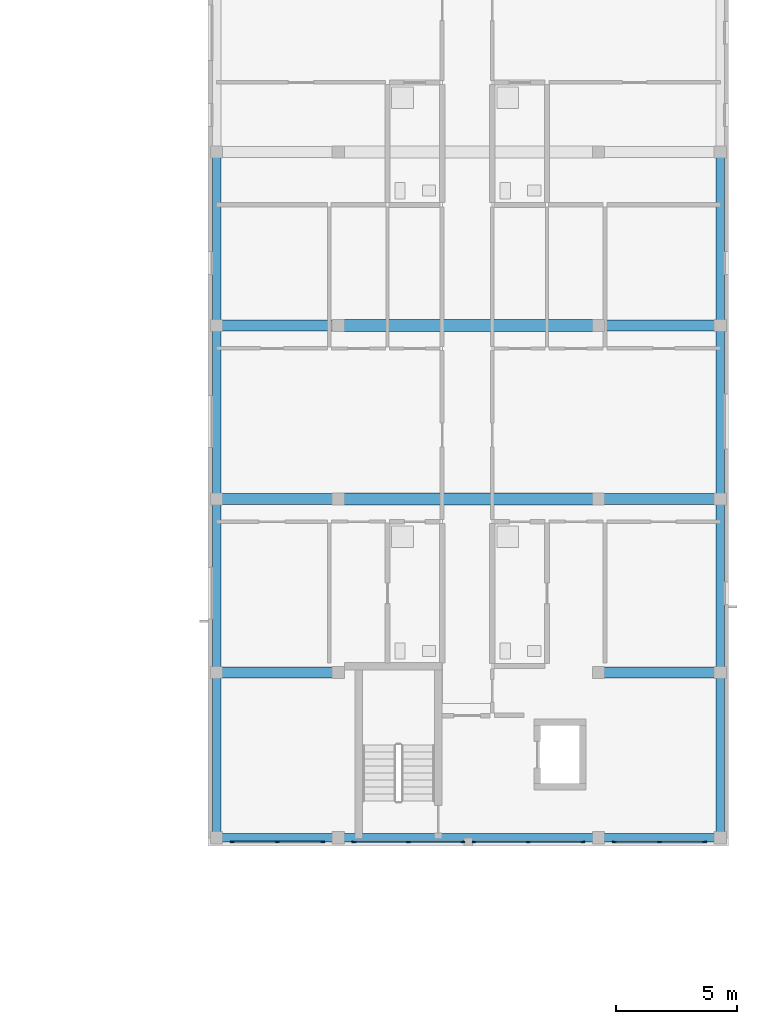
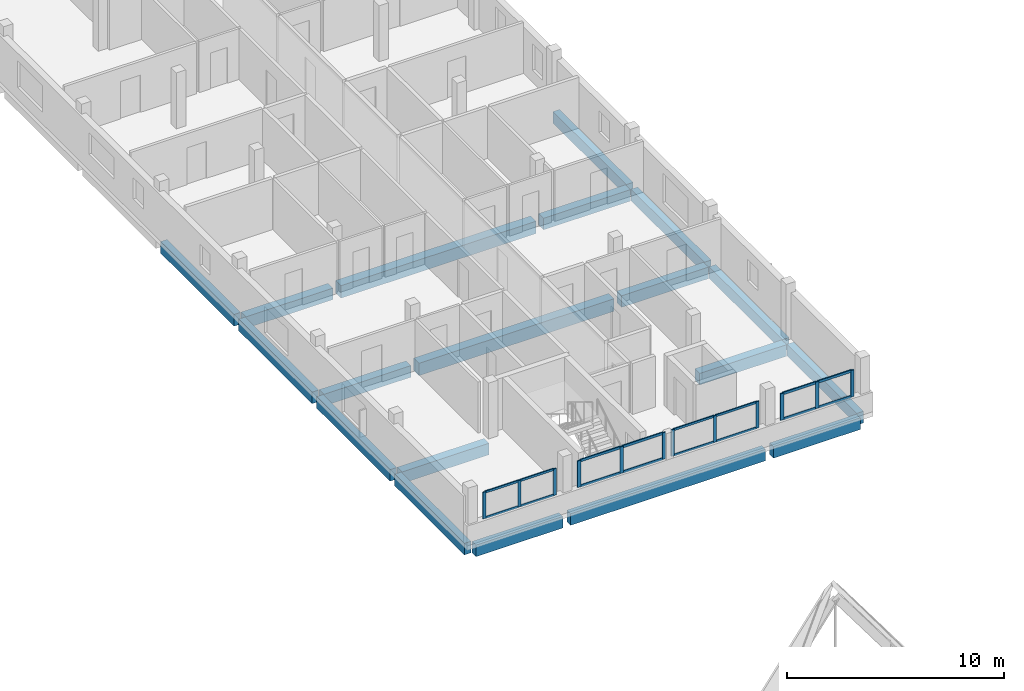
# One storey, part 9 of 29: 28 members, 19 beams, 4 elements without a shape of their own.
"""IFC4 building model written with IfcOpenShell, lengths in metres."""

from ifc_helpers import new_model, si_unit, derived_unit, direction, frame, origin, origin_2d, place, context, subcontext, project, spatial, rectangle, extrude, material, layer, layer_set, material_profile, profile_set, type_object, element, aggregate, save


model = new_model("IFC4")

# Units and contexts
model_context = context("Model", 3, precision=1e-05, world=origin(), true_north=direction((0.0, 1.0)))
body_context = subcontext(model_context, "Body", "Model", "MODEL_VIEW")
ifc_project = project(units=[si_unit("LENGTHUNIT", "METRE"), si_unit("AREAUNIT", "SQUARE_METRE"), si_unit("VOLUMEUNIT", "CUBIC_METRE"), si_unit("PLANEANGLEUNIT", "RADIAN"), si_unit("MASSUNIT", "GRAM", prefix="KILO"), derived_unit("THERMALTRANSMITTANCEUNIT", [(si_unit("MASSUNIT", "GRAM", prefix="KILO"), 1), (si_unit("TIMEUNIT", "SECOND"), -3), (si_unit("THERMODYNAMICTEMPERATUREUNIT", "KELVIN"), -1)])], contexts=[model_context])

# Site, building, storey
site_placement = place(None, origin())
site = spatial("IfcSite", under=ifc_project, at=site_placement, CompositionType="ELEMENT")
building_placement = place(site_placement, origin())
building = spatial("IfcBuilding", under=site, at=building_placement, Name="Ochrekiln Boulevard Commons", CompositionType="ELEMENT")
storey_placement = place(building_placement, frame((0.0, 0.0, 37.27490234375)))
storey = spatial("IfcBuildingStorey", under=building, at=storey_placement, Name="L11", CompositionType="ELEMENT", Elevation=37.27490234375)

# Beams
ifc_material_1 = material(Name="Concrete C35/45", Category="concrete")
ifc_material_profile_1 = material_profile(ifc_material_1, rectangle(XDim=0.449951171875, YDim=0.64990234375, at=origin_2d()), Name="RC-BM-450x650")
ifc_profile_set_1 = profile_set([ifc_material_profile_1], Name="Concrete C35/45")
beam_type_1 = type_object("IfcBeamType", Name="BM-RC-450x650", PredefinedType="BEAM", material=ifc_profile_set_1)
for number, where, z_axis, x_axis, name in (
    (1, (151.760009765625, 75.60009765625, -0.5849609375), (1.0, 0.0, 0.0), (0.0, 1.0, 0.0), "Block B L11 Beam B-4565 X4"),
    (2, (167.610107421875, 75.60009765625, -0.5849609375), (1.0, 0.0, 0.0), (0.0, 1.0, 0.0), "Block B L11 Beam B-4565 X5"),
    (3, (151.760009765625, 82.800048828125, -0.5849609375), (1.0, 0.0, 0.0), (0.0, 1.0, 0.0), "Block B L11 Beam B-4565 X6"),
    (4, (167.610107421875, 82.800048828125, -0.5849609375), (1.0, 0.0, 0.0), (0.0, 1.0, 0.0), "Block B L11 Beam B-4565 X8"),
    (5, (151.760009765625, 90.0, -0.5849609375), (1.0, 0.0, 0.0), (0.0, 1.0, 0.0), "Block B L11 Beam B-4565 X9"),
    (6, (167.610107421875, 90.0, -0.5849609375), (1.0, 0.0, 0.0), (0.0, 1.0, 0.0), "Block B L11 Beam B-4565 X11"),
):
    element("IfcBeam", number, at=place(storey_placement, frame(where, z_axis=z_axis, x_axis=x_axis)), inside=storey, type_object=beam_type_1, Name=name, PredefinedType="BEAM", context=body_context, shape_type="SweptSolid", body=[
        extrude(rectangle(XDim=0.449951171875, YDim=0.64990234375, at=origin_2d()), origin(), (0.0, 0.0, 1.0), 4.6298828125),
    ])
ifc_material_2 = material(Name="Concrete C40/50", Category="concrete")
ifc_material_profile_2 = material_profile(ifc_material_2, rectangle(XDim=0.5, YDim=0.699951171875, at=origin_2d()), Name="RC-BM-500x700")
ifc_profile_set_2 = profile_set([ifc_material_profile_2], Name="Concrete C40/50")
beam_type_2 = type_object("IfcBeamType", Name="BM-RC-500x700", PredefinedType="BEAM", material=ifc_profile_set_2)
for number, where, z_axis, x_axis, name in (
    (7, (156.81005859375, 82.800048828125, -0.60986328125), (1.0, 0.0, 0.0), (0.0, 1.0, 0.0), "Block B L11 Beam B-5070 X7"),
    (8, (156.81005859375, 90.0, -0.60986328125), (1.0, 0.0, 0.0), (0.0, 1.0, 0.0), "Block B L11 Beam B-5070 X10"),
):
    element("IfcBeam", number, at=place(storey_placement, frame(where, z_axis=z_axis, x_axis=x_axis)), inside=storey, type_object=beam_type_2, Name=name, PredefinedType="BEAM", context=body_context, shape_type="SweptSolid", body=[
        extrude(rectangle(XDim=0.5, YDim=0.699951171875, at=origin_2d()), origin(), (0.0, 0.0, 1.0), 10.3798828125),
    ])

# Curtain wall, members
ifc_material_3 = material(Name="Bronze-anodized extruded aluminium 6063-T6", Category="aluminium")
ifc_layer = layer(ifc_material_3, 0.18408203125)
ifc_layer_set = layer_set([ifc_layer], Name="Bronze-anodized extruded aluminium 6063-T6")
curtain_wall_type = type_object("IfcCurtainWallType", Name="CW-GABLE-B", PredefinedType="USERDEFINED", material=ifc_layer_set)
curtain_wall_1_placement = place(storey_placement, origin())
curtain_wall_1 = element("IfcCurtainWall", 9, at=curtain_wall_1_placement, inside=storey, type_object=curtain_wall_type, Name="Block B L11 Courtyard Glazed Gable Curtain Wall 1", ObjectType="GLAZED CURTAIN WALL", PredefinedType="USERDEFINED")
ifc_material_profile_3 = material_profile(ifc_material_3, rectangle(XDim=0.06005859375, YDim=0.159912109375, at=origin_2d()), Name="ALU-MUL-60x160")
ifc_profile_set_3 = profile_set([ifc_material_profile_3], Name="Bronze-anodized extruded aluminium 6063-T6")
member_type_1 = type_object("IfcMemberType", Name="CWM-60x160", PredefinedType="MULLION", material=ifc_profile_set_3)
member_1_placement = place(storey_placement, frame((152.199951171875, 68.570068359375, 1.110107421875), z_axis=(0.0, 0.0, 1.0), x_axis=(0.0, 1.0, 0.0)))
member_1 = element("IfcMember", 10, at=member_1_placement, type_object=member_type_1, Name="CW-02 mullion 1", PredefinedType="MULLION", context=body_context, shape_type="SweptSolid", body=[
    extrude(rectangle(XDim=0.06005859375, YDim=0.159912109375, at=origin_2d()), origin(), (0.0, 0.0, 1.0), 1.489990234375),
])
member_2_placement = place(storey_placement, frame((154.074951171875, 68.570068359375, 1.110107421875), z_axis=(0.0, 0.0, 1.0), x_axis=(0.0, 1.0, 0.0)))
member_2 = element("IfcMember", 11, at=member_2_placement, type_object=member_type_1, Name="CW-02 mullion 2", PredefinedType="MULLION", context=body_context, shape_type="SweptSolid", body=[
    extrude(rectangle(XDim=0.06005859375, YDim=0.159912109375, at=origin_2d()), origin(), (0.0, 0.0, 1.0), 1.489990234375),
])
member_3_placement = place(storey_placement, frame((155.949951171875, 68.570068359375, 1.110107421875), z_axis=(0.0, 0.0, 1.0), x_axis=(0.0, 1.0, 0.0)))
member_3 = element("IfcMember", 12, at=member_3_placement, type_object=member_type_1, Name="CW-02 mullion 3", PredefinedType="MULLION", context=body_context, shape_type="SweptSolid", body=[
    extrude(rectangle(XDim=0.06005859375, YDim=0.159912109375, at=origin_2d()), origin(), (0.0, 0.0, 1.0), 1.489990234375),
])

curtain_wall_2_placement = place(storey_placement, origin())
curtain_wall_2 = element("IfcCurtainWall", 13, at=curtain_wall_2_placement, inside=storey, type_object=curtain_wall_type, Name="Block B L11 Courtyard Glazed Gable Curtain Wall 3", ObjectType="GLAZED CURTAIN WALL", PredefinedType="USERDEFINED")
member_4_placement = place(storey_placement, frame((162.22998046875, 68.570068359375, 1.110107421875), z_axis=(0.0, 0.0, 1.0), x_axis=(0.0, 1.0, 0.0)))
member_4 = element("IfcMember", 14, at=member_4_placement, type_object=member_type_1, Name="CW-02 mullion 1", PredefinedType="MULLION", context=body_context, shape_type="SweptSolid", body=[
    extrude(rectangle(XDim=0.06005859375, YDim=0.159912109375, at=origin_2d()), origin(), (0.0, 0.0, 1.0), 1.489990234375),
])
member_5_placement = place(storey_placement, frame((164.489990234375, 68.570068359375, 1.110107421875), z_axis=(0.0, 0.0, 1.0), x_axis=(0.0, 1.0, 0.0)))
member_5 = element("IfcMember", 15, at=member_5_placement, type_object=member_type_1, Name="CW-02 mullion 2", PredefinedType="MULLION", context=body_context, shape_type="SweptSolid", body=[
    extrude(rectangle(XDim=0.06005859375, YDim=0.159912109375, at=origin_2d()), origin(), (0.0, 0.0, 1.0), 1.489990234375),
])
member_6_placement = place(storey_placement, frame((166.75, 68.570068359375, 1.110107421875), z_axis=(0.0, 0.0, 1.0), x_axis=(0.0, 1.0, 0.0)))
member_6 = element("IfcMember", 16, at=member_6_placement, type_object=member_type_1, Name="CW-02 mullion 3", PredefinedType="MULLION", context=body_context, shape_type="SweptSolid", body=[
    extrude(rectangle(XDim=0.06005859375, YDim=0.159912109375, at=origin_2d()), origin(), (0.0, 0.0, 1.0), 1.489990234375),
])

curtain_wall_3_placement = place(storey_placement, origin())
curtain_wall_3 = element("IfcCurtainWall", 17, at=curtain_wall_3_placement, inside=storey, type_object=curtain_wall_type, Name="Block B L11 Courtyard Glazed Gable Curtain Wall 2", ObjectType="GLAZED CURTAIN WALL", PredefinedType="USERDEFINED")
ifc_material_profile_4 = material_profile(ifc_material_3, rectangle(XDim=0.06494140625, YDim=0.179931640625, at=origin_2d()), Name="ALU-MUL-65x180")
ifc_profile_set_4 = profile_set([ifc_material_profile_4], Name="Bronze-anodized extruded aluminium 6063-T6")
member_type_2 = type_object("IfcMemberType", Name="CWM-65x180", PredefinedType="MULLION", material=ifc_profile_set_4)
member_7_placement = place(storey_placement, frame((157.25244140625, 68.570068359375, 1.110107421875), z_axis=(0.0, 0.0, 1.0), x_axis=(0.0, 1.0, 0.0)))
member_7 = element("IfcMember", 18, at=member_7_placement, type_object=member_type_2, Name="CW-02 mullion 1", PredefinedType="MULLION", context=body_context, shape_type="SweptSolid", body=[
    extrude(rectangle(XDim=0.06494140625, YDim=0.179931640625, at=origin_2d()), origin(), (0.0, 0.0, 1.0), 1.489990234375),
])
member_8_placement = place(storey_placement, frame((159.510009765625, 68.570068359375, 1.110107421875), z_axis=(0.0, 0.0, 1.0), x_axis=(0.0, 1.0, 0.0)))
member_8 = element("IfcMember", 19, at=member_8_placement, type_object=member_type_2, Name="CW-02 mullion 2", PredefinedType="MULLION", context=body_context, shape_type="SweptSolid", body=[
    extrude(rectangle(XDim=0.06494140625, YDim=0.179931640625, at=origin_2d()), origin(), (0.0, 0.0, 1.0), 1.489990234375),
])
member_9_placement = place(storey_placement, frame((161.767578125, 68.570068359375, 1.110107421875), z_axis=(0.0, 0.0, 1.0), x_axis=(0.0, 1.0, 0.0)))
member_9 = element("IfcMember", 20, at=member_9_placement, type_object=member_type_2, Name="CW-02 mullion 3", PredefinedType="MULLION", context=body_context, shape_type="SweptSolid", body=[
    extrude(rectangle(XDim=0.06494140625, YDim=0.179931640625, at=origin_2d()), origin(), (0.0, 0.0, 1.0), 1.489990234375),
])

curtain_wall_4_placement = place(storey_placement, origin())
curtain_wall_4 = element("IfcCurtainWall", 21, at=curtain_wall_4_placement, inside=storey, type_object=curtain_wall_type, Name="Block B L11 Courtyard Glazed Gable Curtain Wall 4", ObjectType="GLAZED CURTAIN WALL", PredefinedType="USERDEFINED")
member_10_placement = place(storey_placement, frame((168.052490234375, 68.570068359375, 1.110107421875), z_axis=(0.0, 0.0, 1.0), x_axis=(0.0, 1.0, 0.0)))
member_10 = element("IfcMember", 22, at=member_10_placement, type_object=member_type_2, Name="CW-02 mullion 1", PredefinedType="MULLION", context=body_context, shape_type="SweptSolid", body=[
    extrude(rectangle(XDim=0.06494140625, YDim=0.179931640625, at=origin_2d()), origin(), (0.0, 0.0, 1.0), 1.489990234375),
])
member_11_placement = place(storey_placement, frame((169.925048828125, 68.570068359375, 1.110107421875), z_axis=(0.0, 0.0, 1.0), x_axis=(0.0, 1.0, 0.0)))
member_11 = element("IfcMember", 23, at=member_11_placement, type_object=member_type_2, Name="CW-02 mullion 2", PredefinedType="MULLION", context=body_context, shape_type="SweptSolid", body=[
    extrude(rectangle(XDim=0.06494140625, YDim=0.179931640625, at=origin_2d()), origin(), (0.0, 0.0, 1.0), 1.489990234375),
])
member_12_placement = place(storey_placement, frame((171.797607421875, 68.570068359375, 1.110107421875), z_axis=(0.0, 0.0, 1.0), x_axis=(0.0, 1.0, 0.0)))
member_12 = element("IfcMember", 24, at=member_12_placement, type_object=member_type_2, Name="CW-02 mullion 3", PredefinedType="MULLION", context=body_context, shape_type="SweptSolid", body=[
    extrude(rectangle(XDim=0.06494140625, YDim=0.179931640625, at=origin_2d()), origin(), (0.0, 0.0, 1.0), 1.489990234375),
])

# Member
ifc_material_profile_5 = material_profile(ifc_material_3, rectangle(XDim=0.06005859375, YDim=0.1201171875, at=origin_2d()), Name="ALU-TRN-60x120")
ifc_profile_set_5 = profile_set([ifc_material_profile_5], Name="Bronze-anodized extruded aluminium 6063-T6")
member_type_3 = type_object("IfcMemberType", Name="CWT-60x120", PredefinedType="USERDEFINED", material=ifc_profile_set_5)
member_13_placement = place(storey_placement, frame((152.22998046875, 68.570068359375, 1.14013671875), z_axis=(1.0, 0.0, 0.0), x_axis=(0.0, 1.0, 0.0)))
member_13 = element("IfcMember", 25, at=member_13_placement, type_object=member_type_3, Name="CW-02 transom 1.1", ObjectType="TRANSOM", PredefinedType="USERDEFINED", context=body_context, shape_type="SweptSolid", body=[
    extrude(rectangle(XDim=0.06005859375, YDim=0.1201171875, at=origin_2d()), origin(), (0.0, 0.0, 1.0), 1.81494140625),
])

member_14_placement = place(storey_placement, frame((152.22998046875, 68.570068359375, 2.570068359375), z_axis=(1.0, 0.0, 0.0), x_axis=(0.0, 1.0, 0.0)))
member_14 = element("IfcMember", 26, at=member_14_placement, type_object=member_type_3, Name="CW-02 transom 1.2", ObjectType="TRANSOM", PredefinedType="USERDEFINED", context=body_context, shape_type="SweptSolid", body=[
    extrude(rectangle(XDim=0.06005859375, YDim=0.1201171875, at=origin_2d()), origin(), (0.0, 0.0, 1.0), 1.81494140625),
])

member_15_placement = place(storey_placement, frame((154.10498046875, 68.570068359375, 1.14013671875), z_axis=(1.0, 0.0, 0.0), x_axis=(0.0, 1.0, 0.0)))
member_15 = element("IfcMember", 27, at=member_15_placement, type_object=member_type_3, Name="CW-02 transom 2.1", ObjectType="TRANSOM", PredefinedType="USERDEFINED", context=body_context, shape_type="SweptSolid", body=[
    extrude(rectangle(XDim=0.06005859375, YDim=0.1201171875, at=origin_2d()), origin(), (0.0, 0.0, 1.0), 1.81494140625),
])

member_16_placement = place(storey_placement, frame((154.10498046875, 68.570068359375, 2.570068359375), z_axis=(1.0, 0.0, 0.0), x_axis=(0.0, 1.0, 0.0)))
member_16 = element("IfcMember", 28, at=member_16_placement, type_object=member_type_3, Name="CW-02 transom 2.2", ObjectType="TRANSOM", PredefinedType="USERDEFINED", context=body_context, shape_type="SweptSolid", body=[
    extrude(rectangle(XDim=0.06005859375, YDim=0.1201171875, at=origin_2d()), origin(), (0.0, 0.0, 1.0), 1.81494140625),
])

aggregate(curtain_wall_1, [member_1, member_2, member_3, member_13, member_14, member_15, member_16])

member_17_placement = place(storey_placement, frame((162.260009765625, 68.570068359375, 1.14013671875), z_axis=(1.0, 0.0, 0.0), x_axis=(0.0, 1.0, 0.0)))
member_17 = element("IfcMember", 29, at=member_17_placement, type_object=member_type_3, Name="CW-02 transom 1.1", ObjectType="TRANSOM", PredefinedType="USERDEFINED", context=body_context, shape_type="SweptSolid", body=[
    extrude(rectangle(XDim=0.06005859375, YDim=0.1201171875, at=origin_2d()), origin(), (0.0, 0.0, 1.0), 2.199951171875),
])

member_18_placement = place(storey_placement, frame((162.260009765625, 68.570068359375, 2.570068359375), z_axis=(1.0, 0.0, 0.0), x_axis=(0.0, 1.0, 0.0)))
member_18 = element("IfcMember", 30, at=member_18_placement, type_object=member_type_3, Name="CW-02 transom 1.2", ObjectType="TRANSOM", PredefinedType="USERDEFINED", context=body_context, shape_type="SweptSolid", body=[
    extrude(rectangle(XDim=0.06005859375, YDim=0.1201171875, at=origin_2d()), origin(), (0.0, 0.0, 1.0), 2.199951171875),
])

member_19_placement = place(storey_placement, frame((164.52001953125, 68.570068359375, 1.14013671875), z_axis=(1.0, 0.0, 0.0), x_axis=(0.0, 1.0, 0.0)))
member_19 = element("IfcMember", 31, at=member_19_placement, type_object=member_type_3, Name="CW-02 transom 2.1", ObjectType="TRANSOM", PredefinedType="USERDEFINED", context=body_context, shape_type="SweptSolid", body=[
    extrude(rectangle(XDim=0.06005859375, YDim=0.1201171875, at=origin_2d()), origin(), (0.0, 0.0, 1.0), 2.199951171875),
])

member_20_placement = place(storey_placement, frame((164.52001953125, 68.570068359375, 2.570068359375), z_axis=(1.0, 0.0, 0.0), x_axis=(0.0, 1.0, 0.0)))
member_20 = element("IfcMember", 32, at=member_20_placement, type_object=member_type_3, Name="CW-02 transom 2.2", ObjectType="TRANSOM", PredefinedType="USERDEFINED", context=body_context, shape_type="SweptSolid", body=[
    extrude(rectangle(XDim=0.06005859375, YDim=0.1201171875, at=origin_2d()), origin(), (0.0, 0.0, 1.0), 2.199951171875),
])

aggregate(curtain_wall_2, [member_4, member_5, member_6, member_17, member_18, member_19, member_20])

ifc_material_profile_6 = material_profile(ifc_material_3, rectangle(XDim=0.06494140625, YDim=0.139892578125, at=origin_2d()), Name="ALU-TRN-65x140")
ifc_profile_set_6 = profile_set([ifc_material_profile_6], Name="Bronze-anodized extruded aluminium 6063-T6")
member_type_4 = type_object("IfcMemberType", Name="CWT-65x140", PredefinedType="USERDEFINED", material=ifc_profile_set_6)
member_21_placement = place(storey_placement, frame((157.284912109375, 68.570068359375, 1.142578125), z_axis=(1.0, 0.0, 0.0), x_axis=(0.0, 1.0, 0.0)))
member_21 = element("IfcMember", 33, at=member_21_placement, type_object=member_type_4, Name="CW-02 transom 1.1", ObjectType="TRANSOM", PredefinedType="USERDEFINED", context=body_context, shape_type="SweptSolid", body=[
    extrude(rectangle(XDim=0.06494140625, YDim=0.139892578125, at=origin_2d()), origin(), (0.0, 0.0, 1.0), 2.192626953125),
])

member_22_placement = place(storey_placement, frame((157.284912109375, 68.570068359375, 2.567626953125), z_axis=(1.0, 0.0, 0.0), x_axis=(0.0, 1.0, 0.0)))
member_22 = element("IfcMember", 34, at=member_22_placement, type_object=member_type_4, Name="CW-02 transom 1.2", ObjectType="TRANSOM", PredefinedType="USERDEFINED", context=body_context, shape_type="SweptSolid", body=[
    extrude(rectangle(XDim=0.06494140625, YDim=0.139892578125, at=origin_2d()), origin(), (0.0, 0.0, 1.0), 2.192626953125),
])

member_23_placement = place(storey_placement, frame((159.54248046875, 68.570068359375, 1.142578125), z_axis=(1.0, 0.0, 0.0), x_axis=(0.0, 1.0, 0.0)))
member_23 = element("IfcMember", 35, at=member_23_placement, type_object=member_type_4, Name="CW-02 transom 2.1", ObjectType="TRANSOM", PredefinedType="USERDEFINED", context=body_context, shape_type="SweptSolid", body=[
    extrude(rectangle(XDim=0.06494140625, YDim=0.139892578125, at=origin_2d()), origin(), (0.0, 0.0, 1.0), 2.192626953125),
])

member_24_placement = place(storey_placement, frame((159.54248046875, 68.570068359375, 2.567626953125), z_axis=(1.0, 0.0, 0.0), x_axis=(0.0, 1.0, 0.0)))
member_24 = element("IfcMember", 36, at=member_24_placement, type_object=member_type_4, Name="CW-02 transom 2.2", ObjectType="TRANSOM", PredefinedType="USERDEFINED", context=body_context, shape_type="SweptSolid", body=[
    extrude(rectangle(XDim=0.06494140625, YDim=0.139892578125, at=origin_2d()), origin(), (0.0, 0.0, 1.0), 2.192626953125),
])

aggregate(curtain_wall_3, [member_7, member_8, member_9, member_21, member_22, member_23, member_24])

member_25_placement = place(storey_placement, frame((168.0849609375, 68.570068359375, 1.142578125), z_axis=(1.0, 0.0, 0.0), x_axis=(0.0, 1.0, 0.0)))
member_25 = element("IfcMember", 37, at=member_25_placement, type_object=member_type_4, Name="CW-02 transom 1.1", ObjectType="TRANSOM", PredefinedType="USERDEFINED", context=body_context, shape_type="SweptSolid", body=[
    extrude(rectangle(XDim=0.06494140625, YDim=0.139892578125, at=origin_2d()), origin(), (0.0, 0.0, 1.0), 1.8076171875),
])

member_26_placement = place(storey_placement, frame((168.0849609375, 68.570068359375, 2.567626953125), z_axis=(1.0, 0.0, 0.0), x_axis=(0.0, 1.0, 0.0)))
member_26 = element("IfcMember", 38, at=member_26_placement, type_object=member_type_4, Name="CW-02 transom 1.2", ObjectType="TRANSOM", PredefinedType="USERDEFINED", context=body_context, shape_type="SweptSolid", body=[
    extrude(rectangle(XDim=0.06494140625, YDim=0.139892578125, at=origin_2d()), origin(), (0.0, 0.0, 1.0), 1.8076171875),
])

member_27_placement = place(storey_placement, frame((169.95751953125, 68.570068359375, 1.142578125), z_axis=(1.0, 0.0, 0.0), x_axis=(0.0, 1.0, 0.0)))
member_27 = element("IfcMember", 39, at=member_27_placement, type_object=member_type_4, Name="CW-02 transom 2.1", ObjectType="TRANSOM", PredefinedType="USERDEFINED", context=body_context, shape_type="SweptSolid", body=[
    extrude(rectangle(XDim=0.06494140625, YDim=0.139892578125, at=origin_2d()), origin(), (0.0, 0.0, 1.0), 1.807373046875),
])

member_28_placement = place(storey_placement, frame((169.95751953125, 68.570068359375, 2.567626953125), z_axis=(1.0, 0.0, 0.0), x_axis=(0.0, 1.0, 0.0)))
member_28 = element("IfcMember", 40, at=member_28_placement, type_object=member_type_4, Name="CW-02 transom 2.2", ObjectType="TRANSOM", PredefinedType="USERDEFINED", context=body_context, shape_type="SweptSolid", body=[
    extrude(rectangle(XDim=0.06494140625, YDim=0.139892578125, at=origin_2d()), origin(), (0.0, 0.0, 1.0), 1.807373046875),
])

aggregate(curtain_wall_4, [member_10, member_11, member_12, member_25, member_26, member_27, member_28])

# Beams
ifc_material_profile_7 = material_profile(ifc_material_2, rectangle(XDim=0.35009765625, YDim=0.64990234375, at=origin_2d()), Name="RC-SPN-350x650")
ifc_profile_set_7 = profile_set([ifc_material_profile_7], Name="Concrete C40/50")
beam_type_3 = type_object("IfcBeamType", Name="SPN-RC-350x650", PredefinedType="SPANDREL", material=ifc_profile_set_7)
beam_1_placement = place(storey_placement, frame((151.760009765625, 68.75, -0.5849609375), z_axis=(1.0, 0.0, 0.0), x_axis=(0.0, 1.0, 0.0)))
element("IfcBeam", 41, at=beam_1_placement, inside=storey, type_object=beam_type_3, Name="Block B L11 Beam SP-3565 X1", PredefinedType="SPANDREL", context=body_context, shape_type="SweptSolid", body=[
    extrude(rectangle(XDim=0.35009765625, YDim=0.64990234375, at=origin_2d()), origin(), (0.0, 0.0, 1.0), 4.6298828125),
])
beam_2_placement = place(storey_placement, frame((156.81005859375, 68.75, -0.5849609375), z_axis=(1.0, 0.0, 0.0), x_axis=(0.0, 1.0, 0.0)))
element("IfcBeam", 42, at=beam_2_placement, inside=storey, type_object=beam_type_3, Name="Block B L11 Beam SP-3565 X2", PredefinedType="SPANDREL", context=body_context, shape_type="SweptSolid", body=[
    extrude(rectangle(XDim=0.35009765625, YDim=0.64990234375, at=origin_2d()), origin(), (0.0, 0.0, 1.0), 10.3798828125),
])
beam_3_placement = place(storey_placement, frame((167.610107421875, 68.75, -0.5849609375), z_axis=(1.0, 0.0, 0.0), x_axis=(0.0, 1.0, 0.0)))
element("IfcBeam", 43, at=beam_3_placement, inside=storey, type_object=beam_type_3, Name="Block B L11 Beam SP-3565 X3", PredefinedType="SPANDREL", context=body_context, shape_type="SweptSolid", body=[
    extrude(rectangle(XDim=0.35009765625, YDim=0.64990234375, at=origin_2d()), origin(), (0.0, 0.0, 1.0), 4.6298828125),
])
beam_4_placement = place(storey_placement, frame((151.550048828125, 68.9599609375, -0.5849609375), z_axis=(0.0, 1.0, 0.0), x_axis=(-1.0, 0.0, 0.0)))
element("IfcBeam", 44, at=beam_4_placement, inside=storey, type_object=beam_type_3, Name="Block B L11 Beam SP-3565 Y23", PredefinedType="SPANDREL", context=body_context, shape_type="SweptSolid", body=[
    extrude(rectangle(XDim=0.35009765625, YDim=0.64990234375, at=origin_2d()), origin(), (0.0, 0.0, 1.0), 6.429931640625),
])
for number, where, z_axis, x_axis, name in (
    (45, (151.550048828125, 75.81005859375, -0.5849609375), (0.0, 1.0, 0.0), (-1.0, 0.0, 0.0), "Block B L11 Beam SP-3565 Y24"),
    (46, (151.550048828125, 83.010009765625, -0.5849609375), (0.0, 1.0, 0.0), (-1.0, 0.0, 0.0), "Block B L11 Beam SP-3565 Y25"),
    (47, (151.550048828125, 90.2099609375, -0.5849609375), (0.0, 1.0, 0.0), (-1.0, 0.0, 0.0), "Block B L11 Beam SP-3565 Y26"),
):
    element("IfcBeam", number, at=place(storey_placement, frame(where, z_axis=z_axis, x_axis=x_axis)), inside=storey, type_object=beam_type_3, Name=name, PredefinedType="SPANDREL", context=body_context, shape_type="SweptSolid", body=[
        extrude(rectangle(XDim=0.35009765625, YDim=0.64990234375, at=origin_2d()), origin(), (0.0, 0.0, 1.0), 6.780029296875),
    ])
beam_5_placement = place(storey_placement, frame((172.449951171875, 68.9599609375, -0.5849609375), z_axis=(0.0, 1.0, 0.0), x_axis=(-1.0, 0.0, 0.0)))
element("IfcBeam", 48, at=beam_5_placement, inside=storey, type_object=beam_type_3, Name="Block B L11 Beam SP-3565 Y30", PredefinedType="SPANDREL", context=body_context, shape_type="SweptSolid", body=[
    extrude(rectangle(XDim=0.35009765625, YDim=0.64990234375, at=origin_2d()), origin(), (0.0, 0.0, 1.0), 6.429931640625),
])
for number, where, z_axis, x_axis, name in (
    (49, (172.449951171875, 75.81005859375, -0.5849609375), (0.0, 1.0, 0.0), (-1.0, 0.0, 0.0), "Block B L11 Beam SP-3565 Y31"),
    (50, (172.449951171875, 83.010009765625, -0.5849609375), (0.0, 1.0, 0.0), (-1.0, 0.0, 0.0), "Block B L11 Beam SP-3565 Y32"),
    (51, (172.449951171875, 90.2099609375, -0.5849609375), (0.0, 1.0, 0.0), (-1.0, 0.0, 0.0), "Block B L11 Beam SP-3565 Y33"),
):
    element("IfcBeam", number, at=place(storey_placement, frame(where, z_axis=z_axis, x_axis=x_axis)), inside=storey, type_object=beam_type_3, Name=name, PredefinedType="SPANDREL", context=body_context, shape_type="SweptSolid", body=[
        extrude(rectangle(XDim=0.35009765625, YDim=0.64990234375, at=origin_2d()), origin(), (0.0, 0.0, 1.0), 6.780029296875),
    ])

save(model, "model.ifc")
